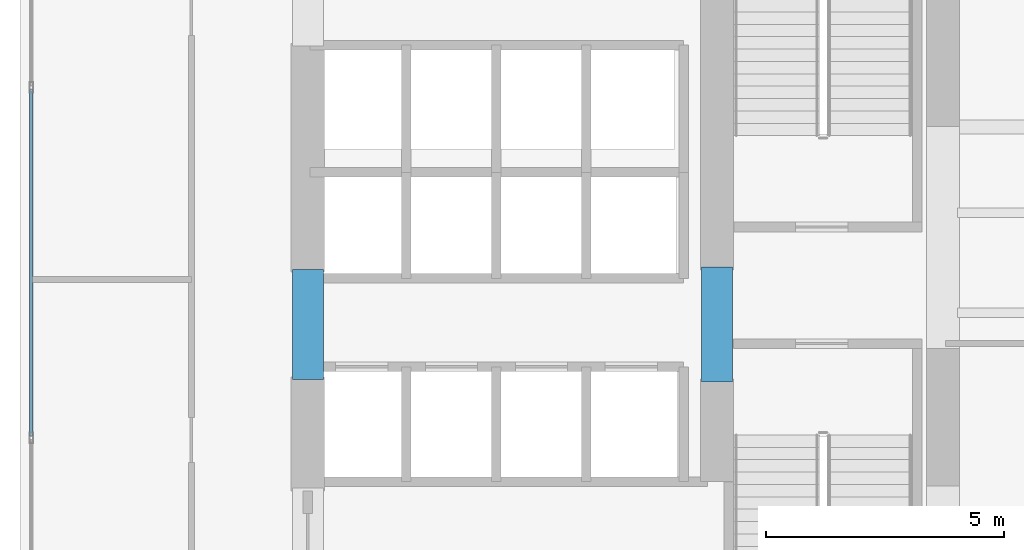
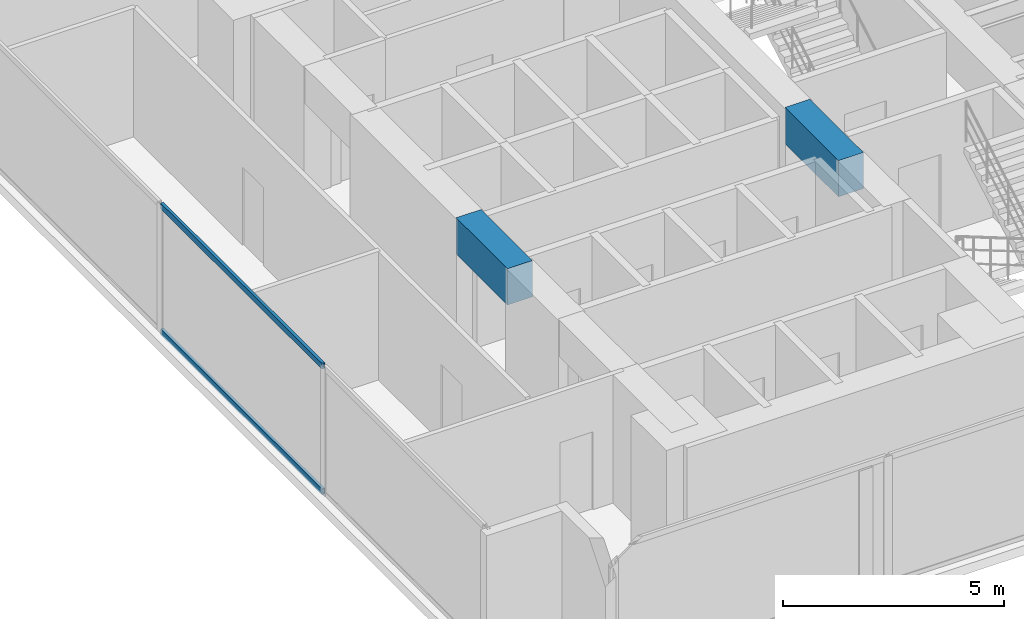
# One storey, part 3 of 28: 2 beams, 2 members, 1 element without a shape of its own.
"""IFC4 building model written with IfcOpenShell, lengths in metres."""

from ifc_helpers import new_model, si_unit, direction, frame, origin, origin_with_axes, origin_2d, place, context, subcontext, project, spatial, rectangle, hollow_rectangle, extrude, source, transform, mapped, material, layer, layer_set, material_profile, profile_set, type_object, element, aggregate, save


model = new_model("IFC4")

# Units and contexts
model_context = context("Model", 3, precision=1e-05, world=origin(), true_north=direction((0.0, 1.0)))
body_context = subcontext(model_context, "Body", "Model", "MODEL_VIEW")
ifc_project = project(units=[si_unit("LENGTHUNIT", "METRE"), si_unit("AREAUNIT", "SQUARE_METRE"), si_unit("VOLUMEUNIT", "CUBIC_METRE"), si_unit("PLANEANGLEUNIT", "RADIAN"), si_unit("MASSUNIT", "GRAM", prefix="KILO")], contexts=[model_context])

# Site, building, storey
site_placement = place(None, origin())
site = spatial("IfcSite", under=ifc_project, at=site_placement, CompositionType="ELEMENT")
building_placement = place(site_placement, origin())
building = spatial("IfcBuilding", under=site, at=building_placement, Name="Kolvaren Waterfront Exchange", CompositionType="ELEMENT")
storey_placement = place(building_placement, frame((0.0, 0.0, 56.199951171875)))
storey = spatial("IfcBuildingStorey", under=building, at=storey_placement, Name="L14", CompositionType="ELEMENT", Elevation=56.199951171875)

# Beams
ifc_material_1 = material(Name="Concrete C60/75", Category="concrete")
ifc_material_profile_1 = material_profile(ifc_material_1, rectangle(XDim=0.64990234375, YDim=1.0, at=origin_2d()), Name="RC-CB-1000x650")
ifc_profile_set_1 = profile_set([ifc_material_profile_1], Name="Concrete C60/75")
beam_type = type_object("IfcBeamType", Name="STR-CB-1000", PredefinedType="SPANDREL", material=ifc_profile_set_1)
beam_1_placement = place(storey_placement, frame((7.449951171875, 12.090087890625, 3.0400390625), z_axis=(0.0, 1.0, 0.0), x_axis=(-1.0, 0.0, 0.0)))
element("IfcBeam", 1, at=beam_1_placement, inside=storey, type_object=beam_type, Name="L14 core coupling beam 4", PredefinedType="SPANDREL", context=body_context, shape_type="SweptSolid", body=[
    extrude(rectangle(XDim=0.64990234375, YDim=1.0, at=origin_2d()), origin(), (0.0, 0.0, 1.0), 2.31982421875),
])
beam_2_placement = place(storey_placement, frame((16.050048828125, 12.0400390625, 3.0400390625), z_axis=(0.0, 1.0, 0.0), x_axis=(-1.0, 0.0, 0.0)))
element("IfcBeam", 2, at=beam_2_placement, inside=storey, type_object=beam_type, Name="L14 core coupling beam 6", PredefinedType="SPANDREL", context=body_context, shape_type="SweptSolid", body=[
    extrude(rectangle(XDim=0.64990234375, YDim=1.0, at=origin_2d()), origin(), (0.0, 0.0, 1.0), 2.419921875),
])

# Curtain wall, members
ifc_material_2 = material(Name="Anodised aluminium 6063-T6", Category="aluminium")
ifc_layer = layer(ifc_material_2, 0.219970703125, Name="Anodised aluminium 6063-T6")
ifc_layer_set = layer_set([ifc_layer], Name="Anodised aluminium 6063-T6")
curtain_wall_type = type_object("IfcCurtainWallType", Name="ARC-CW-SYS2", PredefinedType="USERDEFINED", material=ifc_layer_set)
curtain_wall_placement = place(storey_placement, origin())
curtain_wall = element("IfcCurtainWall", 3, at=curtain_wall_placement, inside=storey, type_object=curtain_wall_type, Name="L14 stick curtain wall CW2 (CW-L14-W)", ObjectType="STICK CURTAIN WALL", PredefinedType="USERDEFINED")
ifc_material_profile_2 = material_profile(ifc_material_2, hollow_rectangle(XDim=0.074951171875, YDim=0.159912109375, WallThickness=0.00439453125, at=origin_2d()), Name="ALU-TRN-160x75x4.5")
ifc_profile_set_2 = profile_set([ifc_material_profile_2], Name="Anodised aluminium 6063-T6")
member_type = type_object("IfcMemberType", Name="ARC-CWT-160", PredefinedType="USERDEFINED", material=ifc_profile_set_2)
shared_shape = source(origin_with_axes(), body_context, "Body", "SweptSolid", [
    extrude(hollow_rectangle(XDim=0.074951171875, YDim=0.159912109375, WallThickness=0.00439453125, at=origin_2d()), origin(), (0.0, 0.0, 1.0), 7.28662109375),
])
member_1_placement = place(storey_placement, frame((1.639892578125, 10.90673828125, 0.03759765625), z_axis=(0.0, 1.0, 0.0), x_axis=(-1.0, 0.0, 0.0)))
member_1 = element("IfcMember", 4, at=member_1_placement, type_object=member_type, Name="CW2 transom 2.1", ObjectType="TRANSOM", PredefinedType="USERDEFINED", context=body_context, shape_type="MappedRepresentation", body=[
    mapped(shared_shape, transform((0.0, 0.0, 0.0), x_axis=(1.0, 0.0, 0.0), y_axis=(0.0, 1.0, 0.0), z_axis=(0.0, 0.0, 1.0), scale=1.0)),
])
member_2_placement = place(storey_placement, frame((1.639892578125, 10.90673828125, 3.50244140625), z_axis=(0.0, 1.0, 0.0), x_axis=(-1.0, 0.0, 0.0)))
member_2 = element("IfcMember", 5, at=member_2_placement, type_object=member_type, Name="CW2 transom 2.2", ObjectType="TRANSOM", PredefinedType="USERDEFINED", context=body_context, shape_type="MappedRepresentation", body=[
    mapped(shared_shape, transform((0.0, 0.0, 0.0), x_axis=(1.0, 0.0, 0.0), y_axis=(0.0, 1.0, 0.0), z_axis=(0.0, 0.0, 1.0), scale=1.0)),
])
aggregate(curtain_wall, [member_1, member_2])

save(model, "model.ifc")
